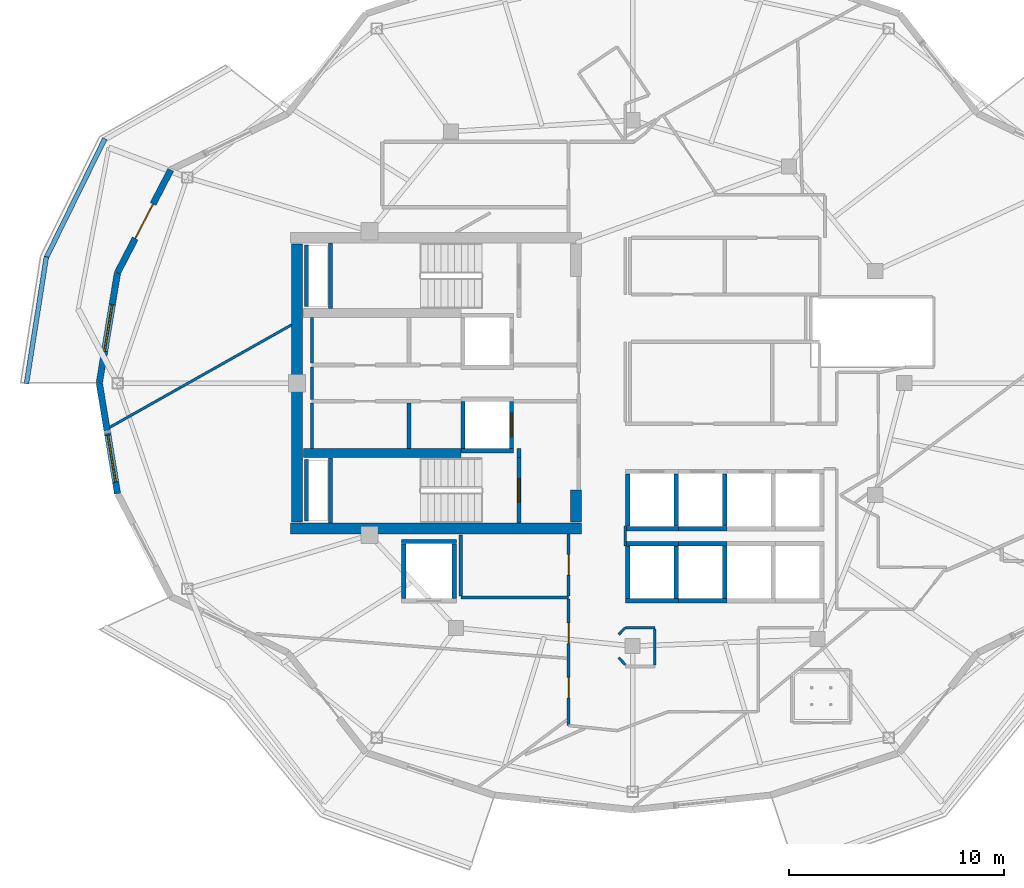
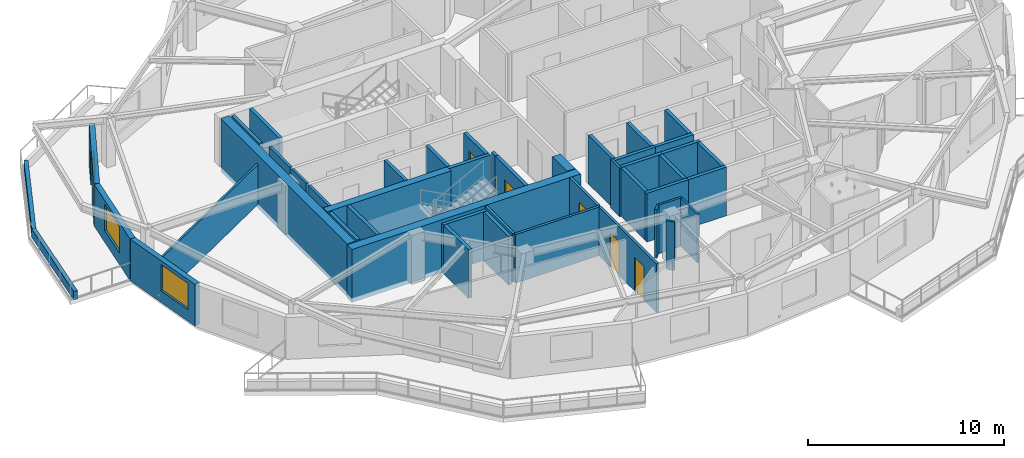
# One storey, part 3 of 13: 47 walls, 6 doors, 2 windows, 8 openings.
"""IFC4 building model written with IfcOpenShell, lengths in metres."""

from ifc_helpers import new_model, si_unit, direction, frame, frame_2d, origin, place, context, subcontext, project, spatial, rectangle, extrude, material, layer, layer_set, type_object, element, fill, save


model = new_model("IFC4")

# Units and contexts
model_context = context("Model", 3, precision=1e-05, world=origin(), true_north=direction((0.0, 1.0)))
body_context = subcontext(model_context, "Body", "Model", "MODEL_VIEW")
ifc_project = project(units=[si_unit("LENGTHUNIT", "METRE"), si_unit("AREAUNIT", "SQUARE_METRE"), si_unit("VOLUMEUNIT", "CUBIC_METRE"), si_unit("PLANEANGLEUNIT", "RADIAN"), si_unit("MASSUNIT", "GRAM", prefix="KILO")], contexts=[model_context])

# Site, building, storey
site_placement = place(None, origin())
site = spatial("IfcSite", under=ifc_project, at=site_placement, CompositionType="ELEMENT")
building_placement = place(site_placement, origin())
building = spatial("IfcBuilding", under=site, at=building_placement, Name="Kolvaren Gate Tower and Convention Centre", CompositionType="ELEMENT")
storey_placement = place(building_placement, frame((0.0, 0.0, 196.39990234375)))
storey = spatial("IfcBuildingStorey", under=building, at=storey_placement, Name="L51", CompositionType="ELEMENT", Elevation=196.39990234375)

# Walls
ifc_material_1 = material(Name="Autoclaved Aerated Masonry Blockwork Class 4 (4.0 MPa)", Category="masonry")
ifc_layer_1 = layer(ifc_material_1, 0.179931640625)
ifc_layer_set_1 = layer_set([ifc_layer_1], Name="Autoclaved Aerated Masonry Blockwork Class 4 (4.0 MPa)")
wall_type_1 = type_object("IfcWallType", Name="ARCH-WL-COMP-180", PredefinedType="SOLIDWALL", material=ifc_layer_set_1)
wall_1_placement = place(storey_placement, frame((24.85009765625, 23.5400390625, 0.0), z_axis=(0.0, 0.0, 1.0), x_axis=(0.0, 1.0, 0.0)))
element("IfcWall", 1, at=wall_1_placement, inside=storey, type_object=wall_type_1, Name="Interior Partition WL-L51-INT-001", PredefinedType="SOLIDWALL", context=body_context, shape_type="SweptSolid", body=[
    extrude(rectangle(XDim=0.419921875, YDim=0.179931640625, at=frame_2d((0.2099609375, 0.0))), origin(), (0.0, 0.0, 1.0), 3.030029296875),
])
wall_2_placement = place(storey_placement, frame((19.75, 23.9619140625, 0.0), z_axis=(0.0, 0.0, 1.0), x_axis=(0.0, 1.0, 0.0)))
element("IfcWall", 2, at=wall_2_placement, inside=storey, type_object=wall_type_1, Name="Interior Partition WL-L51-INT-007", PredefinedType="SOLIDWALL", context=body_context, shape_type="SweptSolid", body=[
    extrude(rectangle(XDim=2.106201171875, YDim=0.179931640625, at=frame_2d((1.05322265625, 0.0))), origin(), (0.0, 0.0, 1.0), 3.030029296875),
])
ifc_material_2 = material(Name="Fire-Rated Acoustic Gypsum Stud Partition", Category="gypsum")
ifc_layer_2 = layer(ifc_material_2, 0.1201171875)
ifc_layer_set_2 = layer_set([ifc_layer_2], Name="Fire-Rated Acoustic Gypsum Stud Partition")
wall_type_2 = type_object("IfcWallType", Name="ARCH-WL-PART-120", PredefinedType="PARTITIONING", material=ifc_layer_set_2)
wall_3_placement = place(storey_placement, frame((29.780029296875, 19.43994140625, 0.0), z_axis=(0.0, 0.0, 1.0), x_axis=(0.0, 1.0, 0.0)))
element("IfcWall", 3, at=wall_3_placement, inside=storey, type_object=wall_type_2, Name="Interior Partition WL-L51-INT-031", PredefinedType="PARTITIONING", context=body_context, shape_type="SweptSolid", body=[
    extrude(rectangle(XDim=0.920166015625, YDim=0.1201171875, at=frame_2d((0.4599609375, 0.0))), origin(), (0.0, 0.0, 1.0), 3.030029296875),
])
wall_4_placement = place(storey_placement, frame((29.780029296875, 15.64990234375, 0.0), z_axis=(0.0, 0.0, 1.0), x_axis=(1.0, 0.0, 0.0)))
element("IfcWall", 4, at=wall_4_placement, inside=storey, type_object=wall_type_2, Name="Interior Partition WL-L51-INT-054", PredefinedType="PARTITIONING", context=body_context, shape_type="SweptSolid", body=[
    extrude(rectangle(XDim=1.369873046875, YDim=0.1201171875, at=frame_2d((0.68505859375, 0.0))), origin(), (0.0, 0.0, 1.0), 3.030029296875),
])
wall_5_placement = place(storey_placement, frame((29.47607421875, 15.3330078125, 0.0), z_axis=(0.0, 0.0, 1.0), x_axis=(0.692219273951, 0.721687243043, 0.0)))
element("IfcWall", 5, at=wall_5_placement, inside=storey, type_object=wall_type_2, Name="Interior Partition WL-L51-INT-060", PredefinedType="PARTITIONING", context=body_context, shape_type="SweptSolid", body=[
    extrude(rectangle(XDim=0.439208984375, YDim=0.1201171875, at=frame_2d((0.2197265625, 0.0))), origin(), (0.0, 0.0, 1.0), 3.030029296875),
])
wall_6_placement = place(storey_placement, frame((29.47607421875, 14.26708984375, 0.0), z_axis=(0.0, 0.0, 1.0), x_axis=(0.670659392016, -0.741765448037, 0.0)))
element("IfcWall", 6, at=wall_6_placement, inside=storey, type_object=wall_type_2, Name="Interior Partition WL-L51-INT-061", PredefinedType="PARTITIONING", context=body_context, shape_type="SweptSolid", body=[
    extrude(rectangle(XDim=0.453125, YDim=0.1201171875, at=frame_2d((0.2265625, 0.0))), origin(), (0.0, 0.0, 1.0), 3.030029296875),
])
wall_7_placement = place(storey_placement, frame((31.14990234375, 13.912109375, 0.0), z_axis=(0.0, 0.0, 1.0), x_axis=(0.0, 1.0, 0.0)))
element("IfcWall", 7, at=wall_7_placement, inside=storey, type_object=wall_type_2, Name="Interior Partition WL-L51-INT-063", PredefinedType="PARTITIONING", context=body_context, shape_type="SweptSolid", body=[
    extrude(rectangle(XDim=1.67578125, YDim=0.1201171875, at=frame_2d((0.837890625, 0.0))), origin(), (0.0, 0.0, 1.0), 3.030029296875),
])
wall_8_placement = place(storey_placement, frame((5.86572265625, 24.95361328125, 0.0), z_axis=(0.0, 0.0, 1.0), x_axis=(0.871135339325, 0.491042992597, 0.0)))
element("IfcWall", 8, at=wall_8_placement, inside=storey, type_object=wall_type_2, Name="Interior Partition WL-L51-INT-064", PredefinedType="PARTITIONING", context=body_context, shape_type="SweptSolid", body=[
    extrude(rectangle(XDim=9.6796875, YDim=0.1201171875, at=frame_2d((4.83984375, 0.0))), origin(), (0.0, 0.0, 1.0), 2.47802734375),
])
ifc_material_3 = material(Name="Piedmont Cream Honed Limestone Cladding", Category="masonry")
ifc_layer_3 = layer(ifc_material_3, 0.219970703125)
ifc_layer_set_3 = layer_set([ifc_layer_3], Name="Piedmont Cream Honed Limestone Cladding")
wall_type_3 = type_object("IfcWallType", Name="ARCH-WL-PLANTER-220", PredefinedType="PARAPET", material=ifc_layer_set_3)
wall_9_placement = place(storey_placement, frame((2.905517578125, 32.8037109375, 0.0), z_axis=(0.0, 0.0, 1.0), x_axis=(0.441640961804, 0.897191875162, 0.0)))
element("IfcWall", 9, at=wall_9_placement, inside=storey, type_object=wall_type_3, Name="Vertical-Forest Balcony Stone Planter Kerb PK-L51-2.2", PredefinedType="PARAPET", context=body_context, shape_type="SweptSolid", body=[
    extrude(rectangle(XDim=6.17822265625, YDim=0.219970703125, at=frame_2d((3.089111328125, 0.0))), origin(), (0.0, 0.0, 1.0), 0.52001953125),
])
wall_10_placement = place(storey_placement, frame((1.993408203125, 26.970703125, 0.0), z_axis=(0.0, 0.0, 1.0), x_axis=(0.1550711793, 0.987903299595, 0.0)))
element("IfcWall", 10, at=wall_10_placement, inside=storey, type_object=wall_type_3, Name="Vertical-Forest Balcony Stone Planter Kerb PK-L51-2.3", PredefinedType="PARAPET", context=body_context, shape_type="SweptSolid", body=[
    extrude(rectangle(XDim=5.963623046875, YDim=0.219970703125, at=frame_2d((2.98193359375, 0.0))), origin(), (0.0, 0.0, 1.0), 0.52001953125),
])
ifc_layer_4 = layer(ifc_material_1, 0.199951171875)
ifc_layer_set_4 = layer_set([ifc_layer_4], Name="Autoclaved Aerated Masonry Blockwork Class 4 (4.0 MPa)")
wall_type_4 = type_object("IfcWallType", Name="ARCH-WL-SHAFT-200", PredefinedType="SOLIDWALL", material=ifc_layer_set_4)
wall_11_placement = place(storey_placement, frame((22.14990234375, 23.860107421875, 0.0), z_axis=(0.0, 0.0, 1.0), x_axis=(1.0, 0.0, 0.0)))
element("IfcWall", 11, at=wall_11_placement, inside=storey, type_object=wall_type_4, Name="Elevator FF-02 L51 Fire Shaft Wall S", PredefinedType="SOLIDWALL", context=body_context, shape_type="SweptSolid", body=[
    extrude(rectangle(XDim=2.4501953125, YDim=0.199951171875, at=frame_2d((1.22509765625, 0.0))), origin(), (0.0, 0.0, 1.0), 3.030029296875),
])
wall_12_placement = place(storey_placement, frame((22.25, 23.969970703125, 0.0), z_axis=(0.0, 0.0, 1.0), x_axis=(0.0, 1.0, 0.0)))
element("IfcWall", 12, at=wall_12_placement, inside=storey, type_object=wall_type_4, Name="Elevator FF-02 L51 Fire Shaft Wall W", PredefinedType="SOLIDWALL", context=body_context, shape_type="SweptSolid", body=[
    extrude(rectangle(XDim=2.179931640625, YDim=0.199951171875, at=frame_2d((1.08984375, 0.0))), origin(), (0.0, 0.0, 1.0), 3.030029296875),
])

# Wall, opening, door
wall_13_placement = place(storey_placement, frame((24.5, 23.969970703125, 0.0), z_axis=(0.0, 0.0, 1.0), x_axis=(0.0, 1.0, 0.0)))
wall_13 = element("IfcWall", 13, at=wall_13_placement, inside=storey, type_object=wall_type_4, Name="Elevator FF-02 L51 Fire Shaft Wall E", PredefinedType="SOLIDWALL", context=body_context, shape_type="SweptSolid", body=[
    extrude(rectangle(XDim=2.179931640625, YDim=0.199951171875, at=frame_2d((1.08984375, 0.0))), origin(), (0.0, 0.0, 1.0), 3.030029296875),
])
opening_1_placement = place(wall_13_placement, frame((0.5400390625, 0.0, 0.0)))
opening_1 = element("IfcOpeningElement", 14, at=opening_1_placement, cuts=wall_13, Name="Opening LD", PredefinedType="OPENING", context=body_context, shape_type="SweptSolid", body=[
    extrude(rectangle(XDim=1.10009765625, YDim=2.199951171875, at=frame_2d((0.550048828125, 1.10009765625))), frame((0.0, 0.10986328125, 0.0), z_axis=(0.0, -1.0, 0.0), x_axis=(1.0, 0.0, 0.0)), (0.0, 0.0, 1.0), 0.219970703125),
])
ifc_material_4 = material(Name="Brushed Stainless Steel Grade 316L", Category="steel")
door_type_1 = type_object("IfcDoorType", Name="ARCH-DR-LIFT-1100", OperationType="SLIDING_TO_LEFT", PredefinedType="DOOR", material=ifc_material_4)
door_1_placement = place(opening_1_placement, origin())
door_1 = element("IfcDoor", 15, at=door_1_placement, inside=storey, type_object=door_type_1, Name="Elevator FF-02 L51 Sliding Landing Door", OperationType="SLIDING_TO_LEFT", OverallHeight=2.199951171875, OverallWidth=1.10009765625, PredefinedType="DOOR", context=body_context, shape_type="SweptSolid", body=[
    extrude(rectangle(XDim=1.10009765625, YDim=2.199951171875, at=frame_2d((0.550048828125, 1.10009765625))), frame((0.0, 0.02490234375, 0.0), z_axis=(0.0, -1.0, 0.0), x_axis=(1.0, 0.0, 0.0)), (0.0, 0.0, 1.0), 0.050048828125),
])
fill(opening_1, door_1)

# Walls
wall_14_placement = place(storey_placement, frame((19.39990234375, 19.64990234375, 0.0), z_axis=(0.0, 0.0, 1.0), x_axis=(1.0, 0.0, 0.0)))
element("IfcWall", 16, at=wall_14_placement, inside=storey, type_object=wall_type_4, Name="Elevator SV-01 L51 Fire Shaft Wall N", PredefinedType="SOLIDWALL", context=body_context, shape_type="SweptSolid", body=[
    extrude(rectangle(XDim=2.550048828125, YDim=0.199951171875, at=frame_2d((1.27490234375, 0.0))), origin(), (0.0, 0.0, 1.0), 3.030029296875),
])
for number, where, z_axis, x_axis, name in (
    (17, (19.5, 17.010009765625, 0.0), (0.0, 0.0, 1.0), (0.0, 1.0, 0.0), "Elevator SV-01 L51 Fire Shaft Wall W"),
    (18, (21.85009765625, 17.010009765625, 0.0), (0.0, 0.0, 1.0), (0.0, 1.0, 0.0), "Elevator SV-01 L51 Fire Shaft Wall E"),
):
    element("IfcWall", number, at=place(storey_placement, frame(where, z_axis=z_axis, x_axis=x_axis)), inside=storey, type_object=wall_type_4, Name=name, PredefinedType="SOLIDWALL", context=body_context, shape_type="SweptSolid", body=[
        extrude(rectangle(XDim=2.530029296875, YDim=0.199951171875, at=frame_2d((1.26513671875, 0.0))), origin(), (0.0, 0.0, 1.0), 3.030029296875),
    ])
for number, where, z_axis, x_axis, name in (
    (19, (29.800048828125, 19.550048828125, 0.0), (0.0, 0.0, 1.0), (1.0, 0.0, 0.0), "Elevator PL-05 L51 Fire Shaft Wall N"),
    (20, (29.800048828125, 16.89990234375, 0.0), (0.0, 0.0, 1.0), (1.0, 0.0, 0.0), "Elevator PL-05 L51 Fire Shaft Wall S"),
):
    element("IfcWall", number, at=place(storey_placement, frame(where, z_axis=z_axis, x_axis=x_axis)), inside=storey, type_object=wall_type_4, Name=name, PredefinedType="SOLIDWALL", context=body_context, shape_type="SweptSolid", body=[
        extrude(rectangle(XDim=2.449951171875, YDim=0.199951171875, at=frame_2d((1.22509765625, 0.0))), origin(), (0.0, 0.0, 1.0), 3.030029296875),
    ])
for number, where, z_axis, x_axis, name in (
    (21, (29.89990234375, 17.010009765625, 0.0), (0.0, 0.0, 1.0), (0.0, 1.0, 0.0), "Elevator PL-05 L51 Fire Shaft Wall W"),
    (22, (32.14990234375, 17.010009765625, 0.0), (0.0, 0.0, 1.0), (0.0, 1.0, 0.0), "Elevator PL-05 L51 Fire Shaft Wall E"),
):
    element("IfcWall", number, at=place(storey_placement, frame(where, z_axis=z_axis, x_axis=x_axis)), inside=storey, type_object=wall_type_4, Name=name, PredefinedType="SOLIDWALL", context=body_context, shape_type="SweptSolid", body=[
        extrude(rectangle(XDim=2.429931640625, YDim=0.199951171875, at=frame_2d((1.21484375, 0.0))), origin(), (0.0, 0.0, 1.0), 3.030029296875),
    ])
for number, where, z_axis, x_axis, name in (
    (23, (32.25, 19.550048828125, 0.0), (0.0, 0.0, 1.0), (1.0, 0.0, 0.0), "Elevator PL-06 L51 Fire Shaft Wall N"),
    (24, (32.25, 16.89990234375, 0.0), (0.0, 0.0, 1.0), (1.0, 0.0, 0.0), "Elevator PL-06 L51 Fire Shaft Wall S"),
):
    element("IfcWall", number, at=place(storey_placement, frame(where, z_axis=z_axis, x_axis=x_axis)), inside=storey, type_object=wall_type_4, Name=name, PredefinedType="SOLIDWALL", context=body_context, shape_type="SweptSolid", body=[
        extrude(rectangle(XDim=2.25, YDim=0.199951171875, at=frame_2d((1.125, 0.0))), origin(), (0.0, 0.0, 1.0), 3.030029296875),
    ])
wall_15_placement = place(storey_placement, frame((34.39990234375, 17.010009765625, 0.0), z_axis=(0.0, 0.0, 1.0), x_axis=(0.0, 1.0, 0.0)))
element("IfcWall", 25, at=wall_15_placement, inside=storey, type_object=wall_type_4, Name="Elevator PL-06 L51 Fire Shaft Wall E", PredefinedType="SOLIDWALL", context=body_context, shape_type="SweptSolid", body=[
    extrude(rectangle(XDim=2.429931640625, YDim=0.199951171875, at=frame_2d((1.21484375, 0.0))), origin(), (0.0, 0.0, 1.0), 3.030029296875),
])
wall_16_placement = place(storey_placement, frame((29.800048828125, 20.25, 0.0), z_axis=(0.0, 0.0, 1.0), x_axis=(1.0, 0.0, 0.0)))
element("IfcWall", 26, at=wall_16_placement, inside=storey, type_object=wall_type_4, Name="Elevator PL-09 L51 Fire Shaft Wall S", PredefinedType="SOLIDWALL", context=body_context, shape_type="SweptSolid", body=[
    extrude(rectangle(XDim=2.449951171875, YDim=0.199951171875, at=frame_2d((1.22509765625, 0.0))), origin(), (0.0, 0.0, 1.0), 3.030029296875),
])
for number, where, z_axis, x_axis, name in (
    (27, (29.89990234375, 20.360107421875, 0.0), (0.0, 0.0, 1.0), (0.0, 1.0, 0.0), "Elevator PL-09 L51 Fire Shaft Wall W"),
    (28, (32.14990234375, 20.360107421875, 0.0), (0.0, 0.0, 1.0), (0.0, 1.0, 0.0), "Elevator PL-09 L51 Fire Shaft Wall E"),
):
    element("IfcWall", number, at=place(storey_placement, frame(where, z_axis=z_axis, x_axis=x_axis)), inside=storey, type_object=wall_type_4, Name=name, PredefinedType="SOLIDWALL", context=body_context, shape_type="SweptSolid", body=[
        extrude(rectangle(XDim=2.429931640625, YDim=0.199951171875, at=frame_2d((1.21484375, 0.0))), origin(), (0.0, 0.0, 1.0), 3.030029296875),
    ])
wall_17_placement = place(storey_placement, frame((32.25, 20.25, 0.0), z_axis=(0.0, 0.0, 1.0), x_axis=(1.0, 0.0, 0.0)))
element("IfcWall", 29, at=wall_17_placement, inside=storey, type_object=wall_type_4, Name="Elevator PL-10 L51 Fire Shaft Wall S", PredefinedType="SOLIDWALL", context=body_context, shape_type="SweptSolid", body=[
    extrude(rectangle(XDim=2.25, YDim=0.199951171875, at=frame_2d((1.125, 0.0))), origin(), (0.0, 0.0, 1.0), 3.030029296875),
])
wall_18_placement = place(storey_placement, frame((34.39990234375, 20.360107421875, 0.0), z_axis=(0.0, 0.0, 1.0), x_axis=(0.0, 1.0, 0.0)))
element("IfcWall", 30, at=wall_18_placement, inside=storey, type_object=wall_type_4, Name="Elevator PL-10 L51 Fire Shaft Wall E", PredefinedType="SOLIDWALL", context=body_context, shape_type="SweptSolid", body=[
    extrude(rectangle(XDim=2.429931640625, YDim=0.199951171875, at=frame_2d((1.21484375, 0.0))), origin(), (0.0, 0.0, 1.0), 3.030029296875),
])
for number, where, z_axis, x_axis, name in (
    (31, (14.989990234375, 30.550048828125, 0.0), (0.0, 0.0, 1.0), (0.0, 1.0, 0.0), "Vertical Shaft HVR L51 EI-120 Enclosure Wall W"),
    (32, (14.989990234375, 20.60009765625, 0.0), (0.0, 0.0, 1.0), (0.0, 1.0, 0.0), "Vertical Shaft MPR L51 EI-120 Enclosure Wall W"),
):
    element("IfcWall", number, at=place(storey_placement, frame(where, z_axis=z_axis, x_axis=x_axis)), inside=storey, type_object=wall_type_4, Name=name, PredefinedType="SOLIDWALL", context=body_context, shape_type="SweptSolid", body=[
        extrude(rectangle(XDim=2.849853515625, YDim=0.199951171875, at=frame_2d((1.4248046875, 0.0))), origin(), (0.0, 0.0, 1.0), 3.030029296875),
    ])

# Wall, opening, door
ifc_layer_5 = layer(ifc_material_3, 0.300048828125)
ifc_layer_set_5 = layer_set([ifc_layer_5], Name="Piedmont Cream Honed Limestone Cladding")
wall_type_5 = type_object("IfcWallType", Name="ARCH-WL-STONE-300", PredefinedType="SOLIDWALL", material=ifc_layer_set_5)
wall_19_placement = place(storey_placement, frame((6.21826171875, 32.12451171875, 0.0), z_axis=(0.0, 0.0, 1.0), x_axis=(0.459808219482, 0.888018243786, 0.0)))
wall_19 = element("IfcWall", 33, at=wall_19_placement, inside=storey, type_object=wall_type_5, Name="Tower L51 Honed Stone Spandrel Wall EW-10", PredefinedType="SOLIDWALL", context=body_context, shape_type="SweptSolid", body=[
    extrude(rectangle(XDim=5.377685546875, YDim=0.300048828125, at=frame_2d((2.68896484375, 0.0))), origin(), (0.0, 0.0, 1.0), 2.60498046875),
])
opening_2_placement = place(wall_19_placement, frame((1.7890625, 0.0, 0.0)))
opening_2 = element("IfcOpeningElement", 34, at=opening_2_placement, cuts=wall_19, Name="Opening DB-01", PredefinedType="OPENING", context=body_context, shape_type="SweptSolid", body=[
    extrude(rectangle(XDim=1.800048828125, YDim=2.25, at=frame_2d((0.89990234375, 1.125))), frame((0.0, 0.159912109375, 0.0), z_axis=(0.0, -1.0, 0.0), x_axis=(1.0, 0.0, 0.0)), (0.0, 0.0, 1.0), 0.320068359375),
])
ifc_material_5 = material(Name="Anodized Architectural Aluminium Alloy 6063-T6", Category="aluminium")
door_type_2 = type_object("IfcDoorType", Name="ARCH-DR-BALC-1800", OperationType="SLIDING_TO_LEFT", PredefinedType="DOOR", material=ifc_material_5)
door_2_placement = place(opening_2_placement, origin())
door_2 = element("IfcDoor", 35, at=door_2_placement, inside=storey, type_object=door_type_2, Name="Planted Sky Terrace Access Door DB-L51-10", OperationType="SLIDING_TO_LEFT", OverallHeight=2.25, OverallWidth=1.800048828125, PredefinedType="DOOR", context=body_context, shape_type="SweptSolid", body=[
    extrude(rectangle(XDim=1.800048828125, YDim=2.25, at=frame_2d((0.89990234375, 1.125))), frame((0.0, 0.02490234375, 0.0), z_axis=(0.0, -1.0, 0.0), x_axis=(1.0, 0.0, 0.0)), (0.0, 0.0, 1.0), 0.050048828125),
])
fill(opening_2, door_2)

# Wall, opening, window
wall_20_placement = place(storey_placement, frame((5.375, 27.0, 0.0), z_axis=(0.0, 0.0, 1.0), x_axis=(0.16237087798, 0.986729799886, 0.0)))
wall_20 = element("IfcWall", 36, at=wall_20_placement, inside=storey, type_object=wall_type_5, Name="Tower L51 Honed Stone Spandrel Wall EW-11", PredefinedType="SOLIDWALL", context=body_context, shape_type="SweptSolid", body=[
    extrude(rectangle(XDim=5.193359375, YDim=0.300048828125, at=frame_2d((2.5966796875, 0.0))), origin(), (0.0, 0.0, 1.0), 2.60498046875),
])
opening_3_placement = place(wall_20_placement, frame((1.4970703125, 0.0, 0.719970703125)))
opening_3 = element("IfcOpeningElement", 37, at=opening_3_placement, cuts=wall_20, Name="Opening W-03", PredefinedType="OPENING", context=body_context, shape_type="SweptSolid", body=[
    extrude(rectangle(XDim=2.199951171875, YDim=1.64990234375, at=frame_2d((1.10009765625, 0.824951171875))), frame((0.0, 0.159912109375, 0.0), z_axis=(0.0, -1.0, 0.0), x_axis=(1.0, 0.0, 0.0)), (0.0, 0.0, 1.0), 0.320068359375),
])
ifc_material_6 = material(Name="Low-E Triple Insulated Glazing Unit 44 mm", Category="glass")
window_type = type_object("IfcWindowType", Name="ARCH-WN-RES-2200", PartitioningType="SINGLE_PANEL", PredefinedType="WINDOW", material=ifc_material_6)
window_1_placement = place(opening_3_placement, origin())
window_1 = element("IfcWindow", 38, at=window_1_placement, inside=storey, type_object=window_type, Name="Tower L51 Punched Stone Facade Window W-11", OverallHeight=1.64990234375, OverallWidth=2.199951171875, PartitioningType="SINGLE_PANEL", PredefinedType="WINDOW", context=body_context, shape_type="SweptSolid", body=[
    extrude(rectangle(XDim=2.199951171875, YDim=1.64990234375, at=frame_2d((1.10009765625, 0.824951171875))), frame((0.0, 0.030029296875, 0.0), z_axis=(0.0, -1.0, 0.0), x_axis=(1.0, 0.0, 0.0)), (0.0, 0.0, 1.0), 0.06005859375),
])
fill(opening_3, window_1)

wall_21_placement = place(storey_placement, frame((5.375, 27.0, 0.0), z_axis=(0.0, 0.0, 1.0), x_axis=(0.16237087798, -0.986729799886, 0.0)))
wall_21 = element("IfcWall", 39, at=wall_21_placement, inside=storey, type_object=wall_type_5, Name="Tower L51 Honed Stone Spandrel Wall EW-12", PredefinedType="SOLIDWALL", context=body_context, shape_type="SweptSolid", body=[
    extrude(rectangle(XDim=5.193359375, YDim=0.300048828125, at=frame_2d((2.5966796875, 0.0))), origin(), (0.0, 0.0, 1.0), 2.60498046875),
])
opening_4_placement = place(wall_21_placement, frame((2.449951171875, 0.0, 0.719970703125)))
opening_4 = element("IfcOpeningElement", 40, at=opening_4_placement, cuts=wall_21, Name="Opening W-03", PredefinedType="OPENING", context=body_context, shape_type="SweptSolid", body=[
    extrude(rectangle(XDim=2.199951171875, YDim=1.64990234375, at=frame_2d((1.10009765625, 0.824951171875))), frame((0.0, 0.159912109375, 0.0), z_axis=(0.0, -1.0, 0.0), x_axis=(1.0, 0.0, 0.0)), (0.0, 0.0, 1.0), 0.320068359375),
])
window_2_placement = place(opening_4_placement, origin())
window_2 = element("IfcWindow", 41, at=window_2_placement, inside=storey, type_object=window_type, Name="Tower L51 Punched Stone Facade Window W-12", OverallHeight=1.64990234375, OverallWidth=2.199951171875, PartitioningType="SINGLE_PANEL", PredefinedType="WINDOW", context=body_context, shape_type="SweptSolid", body=[
    extrude(rectangle(XDim=2.199951171875, YDim=1.64990234375, at=frame_2d((1.10009765625, 0.824951171875))), frame((0.0, 0.030029296875, 0.0), z_axis=(0.0, -1.0, 0.0), x_axis=(1.0, 0.0, 0.0)), (0.0, 0.0, 1.0), 0.06005859375),
])
fill(opening_4, window_2)

# Walls
ifc_material_7 = material(Name="Moisture-Resistant Cement-Board Acoustic Partition", Category="gypsum")
ifc_layer_6 = layer(ifc_material_7, 0.14990234375)
ifc_layer_set_6 = layer_set([ifc_layer_6], Name="Moisture-Resistant Cement-Board Acoustic Partition")
wall_type_6 = type_object("IfcWallType", Name="ARCH-WL-WET-150", PredefinedType="PARTITIONING", material=ifc_layer_set_6)
wall_22_placement = place(storey_placement, frame((15.25, 23.9619140625, 0.0), z_axis=(0.0, 0.0, 1.0), x_axis=(0.0, 1.0, 0.0)))
element("IfcWall", 42, at=wall_22_placement, inside=storey, type_object=wall_type_6, Name="Interior Partition WL-L51-INT-006", PredefinedType="PARTITIONING", context=body_context, shape_type="SweptSolid", body=[
    extrude(rectangle(XDim=2.106201171875, YDim=0.14990234375, at=frame_2d((1.05322265625, 0.0))), origin(), (0.0, 0.0, 1.0), 3.030029296875),
])
wall_23_placement = place(storey_placement, frame((15.25, 26.251953125, 0.0), z_axis=(0.0, 0.0, 1.0), x_axis=(0.0, 1.0, 0.0)))
element("IfcWall", 43, at=wall_23_placement, inside=storey, type_object=wall_type_6, Name="Interior Partition WL-L51-INT-006 (2)", PredefinedType="PARTITIONING", context=body_context, shape_type="SweptSolid", body=[
    extrude(rectangle(XDim=1.49609375, YDim=0.14990234375, at=frame_2d((0.748046875, 0.0))), origin(), (0.0, 0.0, 1.0), 3.030029296875),
])
wall_24_placement = place(storey_placement, frame((15.25, 27.931884765625, 0.0), z_axis=(0.0, 0.0, 1.0), x_axis=(0.0, 1.0, 0.0)))
element("IfcWall", 44, at=wall_24_placement, inside=storey, type_object=wall_type_6, Name="Interior Partition WL-L51-INT-006 (3)", PredefinedType="PARTITIONING", context=body_context, shape_type="SweptSolid", body=[
    extrude(rectangle(XDim=2.106201171875, YDim=0.14990234375, at=frame_2d((1.05322265625, 0.0))), origin(), (0.0, 0.0, 1.0), 3.030029296875),
])
wall_25_placement = place(storey_placement, frame((22.14990234375, 17.050048828125, 0.0), z_axis=(0.0, 0.0, 1.0), x_axis=(1.0, 0.0, 0.0)))
element("IfcWall", 45, at=wall_25_placement, inside=storey, type_object=wall_type_6, Name="Interior Partition WL-L51-INT-009", PredefinedType="PARTITIONING", context=body_context, shape_type="SweptSolid", body=[
    extrude(rectangle(XDim=5.0, YDim=0.14990234375, at=frame_2d((2.5, 0.0))), origin(), (0.0, 0.0, 1.0), 3.030029296875),
])
wall_26_placement = place(storey_placement, frame((22.14990234375, 17.126953125, 0.0), z_axis=(0.0, 0.0, 1.0), x_axis=(0.0, 1.0, 0.0)))
element("IfcWall", 46, at=wall_26_placement, inside=storey, type_object=wall_type_6, Name="Interior Partition WL-L51-INT-010", PredefinedType="PARTITIONING", context=body_context, shape_type="SweptSolid", body=[
    extrude(rectangle(XDim=2.822998046875, YDim=0.14990234375, at=frame_2d((1.41162109375, 0.0))), origin(), (0.0, 0.0, 1.0), 3.030029296875),
])

# Wall, openings, doors
wall_27_placement = place(storey_placement, frame((27.14990234375, 11.113037109375, 0.0), z_axis=(0.0, 0.0, 1.0), x_axis=(0.0, 1.0, 0.0)))
wall_27 = element("IfcWall", 47, at=wall_27_placement, inside=storey, type_object=wall_type_6, Name="Interior Partition WL-L51-INT-011", PredefinedType="PARTITIONING", context=body_context, shape_type="SweptSolid", body=[
    extrude(rectangle(XDim=5.85986328125, YDim=0.14990234375, at=frame_2d((2.929931640625, 0.0))), origin(), (0.0, 0.0, 1.0), 3.030029296875),
])
opening_5_placement = place(wall_27_placement, frame((3.8076171875, 0.0, 0.0)))
opening_5 = element("IfcOpeningElement", 48, at=opening_5_placement, cuts=wall_27, Name="Opening DR-01", PredefinedType="OPENING", context=body_context, shape_type="SweptSolid", body=[
    extrude(rectangle(XDim=0.949951171875, YDim=2.10009765625, at=frame_2d((0.47509765625, 1.050048828125))), frame((0.0, 0.0849609375, 0.0), z_axis=(0.0, -1.0, 0.0), x_axis=(1.0, 0.0, 0.0)), (0.0, 0.0, 1.0), 0.169921875),
])
opening_6_placement = place(wall_27_placement, frame((1.288330078125, 0.0, 0.0)))
opening_6 = element("IfcOpeningElement", 49, at=opening_6_placement, cuts=wall_27, Name="Opening DR-01", PredefinedType="OPENING", context=body_context, shape_type="SweptSolid", body=[
    extrude(rectangle(XDim=0.949951171875, YDim=2.10009765625, at=frame_2d((0.47509765625, 1.050048828125))), frame((0.0, 0.0849609375, 0.0), z_axis=(0.0, -1.0, 0.0), x_axis=(1.0, 0.0, 0.0)), (0.0, 0.0, 1.0), 0.169921875),
])
ifc_material_8 = material(Name="Painted Architectural Steelwork ASTM A500 Grade C 345 MPa", Category="steel")
door_type_3 = type_object("IfcDoorType", Name="ARCH-DR-RISER-950", OperationType="SINGLE_SWING_RIGHT", PredefinedType="DOOR", material=ifc_material_8)
door_3_placement = place(opening_5_placement, origin())
door_3 = element("IfcDoor", 50, at=door_3_placement, inside=storey, type_object=door_type_3, Name="Resident Private Study and Home Office Door", OperationType="SINGLE_SWING_RIGHT", OverallHeight=2.10009765625, OverallWidth=0.949951171875, PredefinedType="DOOR", context=body_context, shape_type="SweptSolid", body=[
    extrude(rectangle(XDim=0.949951171875, YDim=2.10009765625, at=frame_2d((0.47509765625, 1.050048828125))), frame((0.0, 0.02490234375, 0.0), z_axis=(0.0, -1.0, 0.0), x_axis=(1.0, 0.0, 0.0)), (0.0, 0.0, 1.0), 0.050048828125),
])
fill(opening_5, door_3)
door_4_placement = place(opening_6_placement, origin())
door_4 = element("IfcDoor", 51, at=door_4_placement, inside=storey, type_object=door_type_3, Name="Resident Quiet Study Office Door", OperationType="SINGLE_SWING_LEFT", OverallHeight=2.10009765625, OverallWidth=0.949951171875, PredefinedType="DOOR", context=body_context, shape_type="SweptSolid", body=[
    extrude(rectangle(XDim=0.949951171875, YDim=2.10009765625, at=frame_2d((0.47509765625, 1.050048828125))), frame((0.0, 0.02490234375, 0.0), z_axis=(0.0, -1.0, 0.0), x_axis=(1.0, 0.0, 0.0)), (0.0, 0.0, 1.0), 0.050048828125),
])
fill(opening_6, door_4)

# Wall, opening, door
wall_28_placement = place(storey_placement, frame((27.14990234375, 17.126953125, 0.0), z_axis=(0.0, 0.0, 1.0), x_axis=(0.0, 1.0, 0.0)))
wall_28 = element("IfcWall", 52, at=wall_28_placement, inside=storey, type_object=wall_type_6, Name="Interior Partition WL-L51-INT-011 (2)", PredefinedType="PARTITIONING", context=body_context, shape_type="SweptSolid", body=[
    extrude(rectangle(XDim=2.87109375, YDim=0.14990234375, at=frame_2d((1.435546875, 0.0))), origin(), (0.0, 0.0, 1.0), 3.030029296875),
])
opening_7_placement = place(wall_28_placement, frame((0.96044921875, 0.0, 0.0)))
opening_7 = element("IfcOpeningElement", 53, at=opening_7_placement, cuts=wall_28, Name="Opening DR-01", PredefinedType="OPENING", context=body_context, shape_type="SweptSolid", body=[
    extrude(rectangle(XDim=0.949951171875, YDim=2.10009765625, at=frame_2d((0.47509765625, 1.050048828125))), frame((0.0, 0.0849609375, 0.0), z_axis=(0.0, -1.0, 0.0), x_axis=(1.0, 0.0, 0.0)), (0.0, 0.0, 1.0), 0.169921875),
])
door_5_placement = place(opening_7_placement, origin())
door_5 = element("IfcDoor", 54, at=door_5_placement, inside=storey, type_object=door_type_3, Name="West Linen and Supply Store Door", OperationType="SINGLE_SWING_RIGHT", OverallHeight=2.10009765625, OverallWidth=0.949951171875, PredefinedType="DOOR", context=body_context, shape_type="SweptSolid", body=[
    extrude(rectangle(XDim=0.949951171875, YDim=2.10009765625, at=frame_2d((0.47509765625, 1.050048828125))), frame((0.0, 0.02490234375, 0.0), z_axis=(0.0, -1.0, 0.0), x_axis=(1.0, 0.0, 0.0)), (0.0, 0.0, 1.0), 0.050048828125),
])
fill(opening_7, door_5)

# Walls
ifc_material_9 = material(Name="Concrete C50/60", Category="concrete")
ifc_layer_7 = layer(ifc_material_9, 0.419921875)
ifc_layer_set_7 = layer_set([ifc_layer_7], Name="Concrete C50/60")
wall_type_7 = type_object("IfcWallType", Name="STR-WL-CONV-420", PredefinedType="SHEAR", material=ifc_layer_set_7)
wall_29_placement = place(storey_placement, frame((14.85009765625, 23.75, -0.27001953125), z_axis=(0.0, 0.0, 1.0), x_axis=(1.0, 0.0, 0.0)))
element("IfcWall", 55, at=wall_29_placement, inside=storey, type_object=wall_type_7, Name="Tower L51 Offset Core Shear Wall WS", PredefinedType="SHEAR", context=body_context, shape_type="SweptSolid", body=[
    extrude(rectangle(XDim=7.2998046875, YDim=0.419921875, at=frame_2d((3.64990234375, 0.0))), origin(), (0.0, 0.0, 1.0), 3.300048828125),
])
ifc_layer_8 = layer(ifc_material_9, 0.5)
ifc_layer_set_8 = layer_set([ifc_layer_8], Name="Concrete C50/60")
wall_type_8 = type_object("IfcWallType", Name="STR-WL-CORE-500", PredefinedType="SHEAR", material=ifc_layer_set_8)
wall_30_placement = place(storey_placement, frame((14.25, 20.25, -0.27001953125), z_axis=(0.0, 0.0, 1.0), x_axis=(1.0, 0.0, 0.0)))
element("IfcWall", 56, at=wall_30_placement, inside=storey, type_object=wall_type_8, Name="Tower L51 Offset Core Shear Wall S", PredefinedType="SHEAR", context=body_context, shape_type="SweptSolid", body=[
    extrude(rectangle(XDim=13.5, YDim=0.5, at=frame_2d((6.75, 0.0))), origin(), (0.0, 0.0, 1.0), 3.300048828125),
])
wall_31_placement = place(storey_placement, frame((14.550048828125, 20.550048828125, -0.27001953125), z_axis=(0.0, 0.0, 1.0), x_axis=(0.0, 1.0, 0.0)))
element("IfcWall", 57, at=wall_31_placement, inside=storey, type_object=wall_type_8, Name="Tower L51 Offset Core Shear Wall W", PredefinedType="SHEAR", context=body_context, shape_type="SweptSolid", body=[
    extrude(rectangle(XDim=12.89990234375, YDim=0.5, at=frame_2d((6.449951171875, 0.0))), origin(), (0.0, 0.0, 1.0), 3.300048828125),
])
wall_32_placement = place(storey_placement, frame((27.5, 20.550048828125, -0.27001953125), z_axis=(0.0, 0.0, 1.0), x_axis=(0.0, 1.0, 0.0)))
element("IfcWall", 58, at=wall_32_placement, inside=storey, type_object=wall_type_8, Name="Tower L51 Offset Core Shear Wall ES", PredefinedType="SHEAR", context=body_context, shape_type="SweptSolid", body=[
    extrude(rectangle(XDim=1.5, YDim=0.5, at=frame_2d((0.75, 0.0))), origin(), (0.0, 0.0, 1.0), 3.300048828125),
])
ifc_layer_9 = layer(ifc_material_9, 0.199951171875)
ifc_layer_set_9 = layer_set([ifc_layer_9], Name="Concrete C50/60")
wall_type_9 = type_object("IfcWallType", Name="STR-WL-SHAFT-200", PredefinedType="SHEAR", material=ifc_layer_set_9)
wall_33_placement = place(storey_placement, frame((16.10009765625, 30.4619140625, -0.27001953125), z_axis=(0.0, 0.0, 1.0), x_axis=(0.0, 1.0, 0.0)))
element("IfcWall", 59, at=wall_33_placement, inside=storey, type_object=wall_type_9, Name="Tower North Exit Stair ST-T1 L51 Structural Shear Enclosure Wall FAR", PredefinedType="SHEAR", context=body_context, shape_type="SweptSolid", body=[
    extrude(rectangle(XDim=3.0361328125, YDim=0.199951171875, at=frame_2d((1.51806640625, 0.0))), origin(), (0.0, 0.0, 1.0), 3.300048828125),
])

# Wall, opening, door
wall_34_placement = place(storey_placement, frame((24.85009765625, 20.501953125, -0.27001953125), z_axis=(0.0, 0.0, 1.0), x_axis=(0.0, 1.0, 0.0)))
wall_34 = element("IfcWall", 60, at=wall_34_placement, inside=storey, type_object=wall_type_9, Name="Tower South Exit Stair ST-T2 L51 Structural Shear Enclosure Wall NEAR", PredefinedType="SHEAR", context=body_context, shape_type="SweptSolid", body=[
    extrude(rectangle(XDim=3.0380859375, YDim=0.199951171875, at=frame_2d((1.51904296875, 0.0))), origin(), (0.0, 0.0, 1.0), 3.300048828125),
])
opening_8_placement = place(wall_34_placement, frame((0.968994140625, 0.0, 0.27001953125)))
opening_8 = element("IfcOpeningElement", 61, at=opening_8_placement, cuts=wall_34, Name="Opening DS-01", PredefinedType="OPENING", context=body_context, shape_type="SweptSolid", body=[
    extrude(rectangle(XDim=1.10009765625, YDim=2.14990234375, at=frame_2d((0.550048828125, 1.074951171875))), frame((0.0, 0.10986328125, 0.0), z_axis=(0.0, -1.0, 0.0), x_axis=(1.0, 0.0, 0.0)), (0.0, 0.0, 1.0), 0.219970703125),
])
door_type_4 = type_object("IfcDoorType", Name="ARCH-DR-STAIR-1100", OperationType="SINGLE_SWING_LEFT", PredefinedType="DOOR", material=ifc_material_8)
door_6_placement = place(opening_8_placement, origin())
door_6 = element("IfcDoor", 62, at=door_6_placement, inside=storey, type_object=door_type_4, Name="Tower South Exit Stair ST-T2 L51 Fire Exit Stair Door", OperationType="SINGLE_SWING_LEFT", OverallHeight=2.14990234375, OverallWidth=1.10009765625, PredefinedType="DOOR", context=body_context, shape_type="SweptSolid", body=[
    extrude(rectangle(XDim=1.10009765625, YDim=2.14990234375, at=frame_2d((0.550048828125, 1.074951171875))), frame((0.0, 0.02490234375, 0.0), z_axis=(0.0, -1.0, 0.0), x_axis=(1.0, 0.0, 0.0)), (0.0, 0.0, 1.0), 0.050048828125),
])
fill(opening_8, door_6)

# Wall
wall_35_placement = place(storey_placement, frame((16.10009765625, 20.501953125, -0.27001953125), z_axis=(0.0, 0.0, 1.0), x_axis=(0.0, 1.0, 0.0)))
element("IfcWall", 63, at=wall_35_placement, inside=storey, type_object=wall_type_9, Name="Tower South Exit Stair ST-T2 L51 Structural Shear Enclosure Wall FAR", PredefinedType="SHEAR", context=body_context, shape_type="SweptSolid", body=[
    extrude(rectangle(XDim=3.0361328125, YDim=0.199951171875, at=frame_2d((1.51806640625, 0.0))), origin(), (0.0, 0.0, 1.0), 3.300048828125),
])

save(model, "model.ifc")
